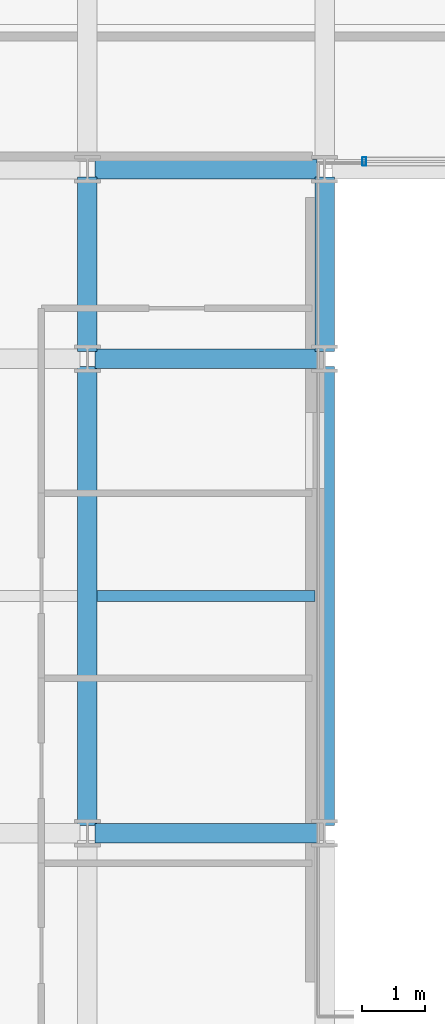
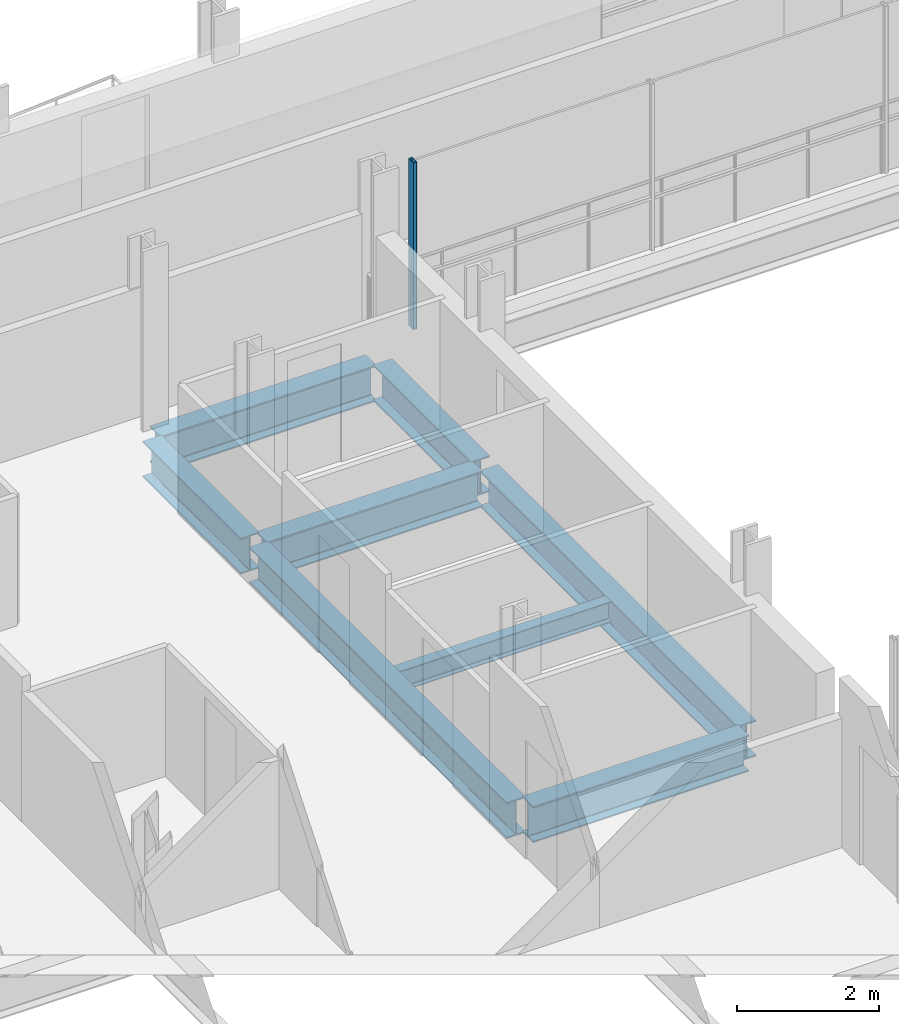
# One storey, part 8 of 38: 8 beams, 1 member, 1 element without a shape of its own.
"""IFC4 building model written with IfcOpenShell, lengths in metres."""

from ifc_helpers import new_model, si_unit, direction, frame, origin, origin_2d, place, context, subcontext, project, spatial, hollow_rectangle, i_section, extrude, material, layer, layer_set, material_profile, profile_set, type_object, element, aggregate, save


model = new_model("IFC4")

# Units and contexts
model_context = context("Model", 3, precision=1e-05, world=origin(), true_north=direction((0.0, 1.0)))
body_context = subcontext(model_context, "Body", "Model", "MODEL_VIEW")
ifc_project = project(units=[si_unit("LENGTHUNIT", "METRE"), si_unit("AREAUNIT", "SQUARE_METRE"), si_unit("VOLUMEUNIT", "CUBIC_METRE"), si_unit("PLANEANGLEUNIT", "RADIAN"), si_unit("MASSUNIT", "GRAM", prefix="KILO")], contexts=[model_context])

# Site, building, storey
site_placement = place(None, origin())
site = spatial("IfcSite", under=ifc_project, at=site_placement, CompositionType="ELEMENT")
building_placement = place(site_placement, origin())
building = spatial("IfcBuilding", under=site, at=building_placement, Name="Brevholm Reach", CompositionType="ELEMENT")
storey_placement = place(building_placement, frame((0.0, 0.0, 65.199951171875)))
storey = spatial("IfcBuildingStorey", under=building, at=storey_placement, Name="L18", CompositionType="ELEMENT", Elevation=65.199951171875)

# Beams
ifc_material_1 = material(Name="Structural Steel S355J2", Category="steel")
ifc_material_profile_1 = material_profile(ifc_material_1, i_section(OverallWidth=0.17138671875, OverallDepth=0.35498046875, WebThickness=0.00732421875, FlangeThickness=0.011474609375, FilletRadius=0.01025390625, at=origin_2d()), Name="UKB 356x171x51")
ifc_profile_set_1 = profile_set([ifc_material_profile_1], Name="Structural Steel S355J2")
beam_type_1 = type_object("IfcBeamType", Name="BM-B356", PredefinedType="BEAM", material=ifc_profile_set_1)
beam_1_placement = place(storey_placement, frame((18.153564453125, 19.75, -0.407470703125), z_axis=(1.0, 0.0, 0.0), x_axis=(0.0, 1.0, 0.0)))
element("IfcBeam", 1, at=beam_1_placement, inside=storey, type_object=beam_type_1, Name="L18 Composite Secondary Floor Beam", PredefinedType="BEAM", context=body_context, shape_type="SweptSolid", body=[
    extrude(i_section(OverallWidth=0.17138671875, OverallDepth=0.35498046875, WebThickness=0.00732421875, FlangeThickness=0.011474609375, FilletRadius=0.01025390625, at=origin_2d()), origin(), (0.0, 0.0, 1.0), 3.44287109375),
])
ifc_material_2 = material(Name="Structural Steel S355J2", Category="steel")
ifc_material_profile_2 = material_profile(ifc_material_2, i_section(OverallWidth=0.30712890625, OverallDepth=0.6201171875, WebThickness=0.01416015625, FlangeThickness=0.023681640625, FilletRadius=0.0166015625, at=origin_2d()), Name="UKB 610x305x179")
ifc_profile_set_2 = profile_set([ifc_material_profile_2], Name="Structural Steel S355J2")
beam_type_2 = type_object("IfcBeamType", Name="BM-UKB610H", PredefinedType="USERDEFINED", material=ifc_profile_set_2)
for number, where, z_axis, x_axis, name in (
    (2, (18.1201171875, 16.0, -0.5400390625), (1.0, 0.0, 0.0), (0.0, 1.0, 0.0), "L18 G-06 Framing Beam"),
    (3, (18.1201171875, 23.5, -0.5400390625), (1.0, 0.0, 0.0), (0.0, 1.0, 0.0), "L18 G-06 Framing Beam"),
    (4, (18.1201171875, 26.5, -0.5400390625), (1.0, 0.0, 0.0), (0.0, 1.0, 0.0), "L18 G-06 Framing Beam"),
):
    element("IfcBeam", number, at=place(storey_placement, frame(where, z_axis=z_axis, x_axis=x_axis)), inside=storey, type_object=beam_type_2, Name=name, ObjectType="GIRDER", PredefinedType="USERDEFINED", context=body_context, shape_type="SweptSolid", body=[
        extrude(i_section(OverallWidth=0.30712890625, OverallDepth=0.6201171875, WebThickness=0.01416015625, FlangeThickness=0.023681640625, FilletRadius=0.0166015625, at=origin_2d()), origin(), (0.0, 0.0, 1.0), 3.509765625),
    ])
beam_2_placement = place(storey_placement, frame((18.0, 16.1201171875, -0.5400390625), z_axis=(0.0, 1.0, 0.0), x_axis=(-1.0, 0.0, 0.0)))
element("IfcBeam", 5, at=beam_2_placement, inside=storey, type_object=beam_type_2, Name="L18 G-06 Framing Beam", ObjectType="GIRDER", PredefinedType="USERDEFINED", context=body_context, shape_type="SweptSolid", body=[
    extrude(i_section(OverallWidth=0.30712890625, OverallDepth=0.6201171875, WebThickness=0.01416015625, FlangeThickness=0.023681640625, FilletRadius=0.0166015625, at=origin_2d()), origin(), (0.0, 0.0, 1.0), 7.259765625),
])
beam_3_placement = place(storey_placement, frame((18.0, 23.6201171875, -0.5400390625), z_axis=(0.0, 1.0, 0.0), x_axis=(-1.0, 0.0, 0.0)))
element("IfcBeam", 6, at=beam_3_placement, inside=storey, type_object=beam_type_2, Name="L18 G-06 Framing Beam", ObjectType="GIRDER", PredefinedType="USERDEFINED", context=body_context, shape_type="SweptSolid", body=[
    extrude(i_section(OverallWidth=0.30712890625, OverallDepth=0.6201171875, WebThickness=0.01416015625, FlangeThickness=0.023681640625, FilletRadius=0.0166015625, at=origin_2d()), origin(), (0.0, 0.0, 1.0), 2.759765625),
])
beam_4_placement = place(storey_placement, frame((21.75, 16.1201171875, -0.5400390625), z_axis=(0.0, 1.0, 0.0), x_axis=(-1.0, 0.0, 0.0)))
element("IfcBeam", 7, at=beam_4_placement, inside=storey, type_object=beam_type_2, Name="L18 G-06 Framing Beam", ObjectType="GIRDER", PredefinedType="USERDEFINED", context=body_context, shape_type="SweptSolid", body=[
    extrude(i_section(OverallWidth=0.30712890625, OverallDepth=0.6201171875, WebThickness=0.01416015625, FlangeThickness=0.023681640625, FilletRadius=0.0166015625, at=origin_2d()), origin(), (0.0, 0.0, 1.0), 7.259765625),
])
beam_5_placement = place(storey_placement, frame((21.75, 23.6201171875, -0.5400390625), z_axis=(0.0, 1.0, 0.0), x_axis=(-1.0, 0.0, 0.0)))
element("IfcBeam", 8, at=beam_5_placement, inside=storey, type_object=beam_type_2, Name="L18 G-06 Framing Beam", ObjectType="GIRDER", PredefinedType="USERDEFINED", context=body_context, shape_type="SweptSolid", body=[
    extrude(i_section(OverallWidth=0.30712890625, OverallDepth=0.6201171875, WebThickness=0.01416015625, FlangeThickness=0.023681640625, FilletRadius=0.0166015625, at=origin_2d()), origin(), (0.0, 0.0, 1.0), 2.759765625),
])

# Curtain wall, member
ifc_material_3 = material(Name="Dark Anodised Aluminium 6063-T6 and Solar-Control Glass", Category="aluminium")
ifc_layer = layer(ifc_material_3, 0.139892578125)
ifc_layer_set = layer_set([ifc_layer], Name="Dark Anodised Aluminium 6063-T6 and Solar-Control Glass")
curtain_wall_type = type_object("IfcCurtainWallType", Name="CW-02", PredefinedType="NOTDEFINED", material=ifc_layer_set)
curtain_wall_placement = place(storey_placement, origin())
curtain_wall = element("IfcCurtainWall", 9, at=curtain_wall_placement, inside=storey, type_object=curtain_wall_type, Name="L18 Curtain Wall CW-02", PredefinedType="NOTDEFINED")
ifc_material_4 = material(Name="Dark Anodised Aluminium 6063-T6", Category="aluminium")
ifc_material_profile_3 = material_profile(ifc_material_4, hollow_rectangle(XDim=0.06005859375, YDim=0.139892578125, WallThickness=0.0048828125, InnerFilletRadius=0.0048828125, OuterFilletRadius=0.010009765625, at=origin_2d()), Name="RHS 140x60x5")
ifc_profile_set_3 = profile_set([ifc_material_profile_3], Name="Dark Anodised Aluminium 6063-T6")
member_type = type_object("IfcMemberType", Name="CWM-140", PredefinedType="MULLION", material=ifc_profile_set_3)
member_placement = place(storey_placement, frame((22.3798828125, 26.6201171875, 0.0), z_axis=(0.0, 0.0, 1.0), x_axis=(-1.0, 0.0, 0.0)))
member = element("IfcMember", 10, at=member_placement, type_object=member_type, Name="CM-140 Mullion 5", PredefinedType="MULLION", context=body_context, shape_type="SweptSolid", body=[
    extrude(hollow_rectangle(XDim=0.06005859375, YDim=0.139892578125, WallThickness=0.0048828125, InnerFilletRadius=0.0048828125, OuterFilletRadius=0.010009765625, at=origin_2d()), origin(), (0.0, 0.0, 1.0), 2.8701171875),
])
aggregate(curtain_wall, [member])

save(model, "model.ifc")
